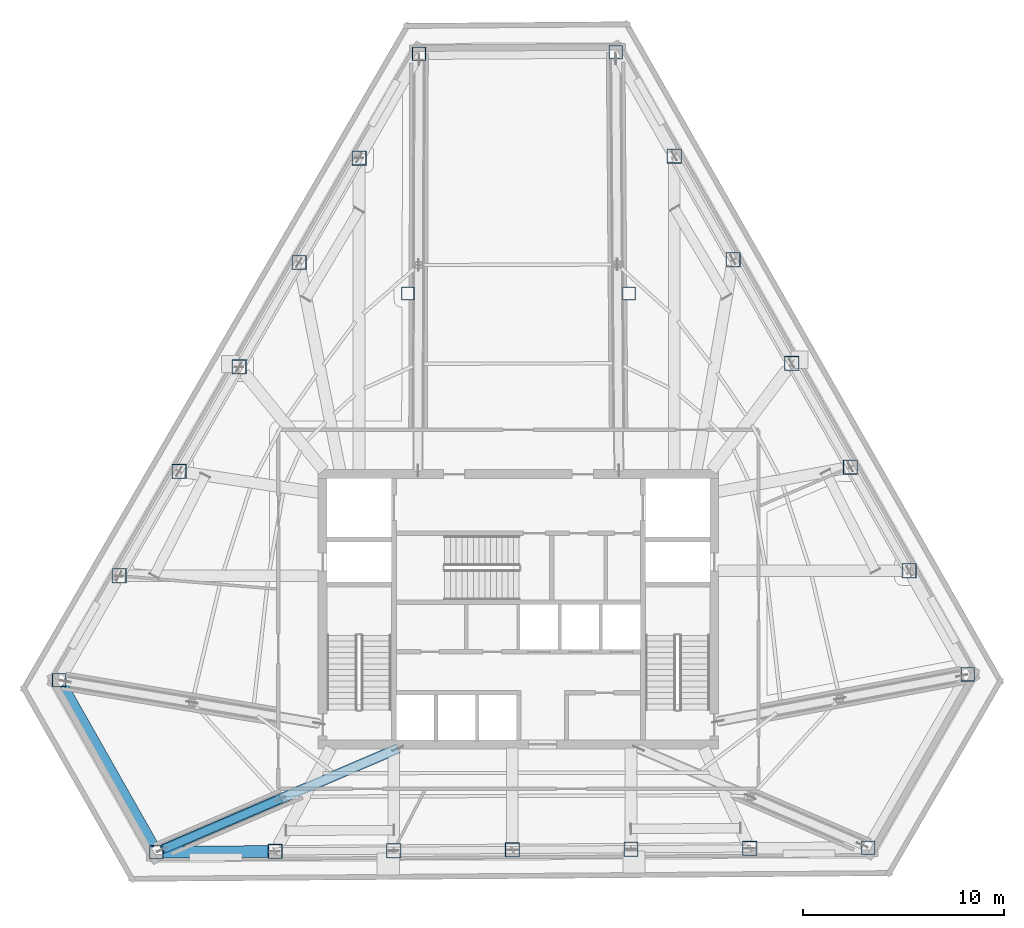
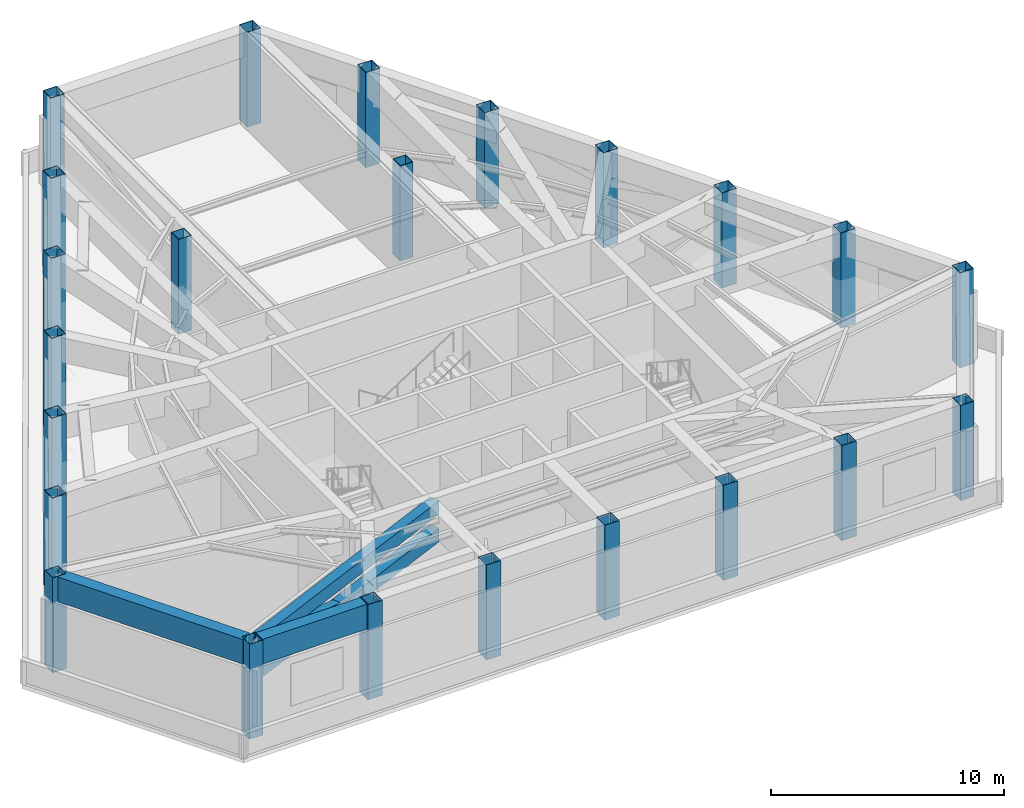
# One storey, part 1 of 13: 23 columns, 4 beams, 1 member.
"""IFC4 building model written with IfcOpenShell, lengths in metres."""

from ifc_helpers import new_model, si_unit, direction, frame, origin, origin_2d, place, context, subcontext, project, spatial, hollow_rectangle, extrude, material, material_profile, profile_set, type_object, element, save


model = new_model("IFC4")

# Units and contexts
model_context = context("Model", 3, precision=1e-05, world=origin(), true_north=direction((0.0, 1.0)))
body_context = subcontext(model_context, "Body", "Model", "MODEL_VIEW")
ifc_project = project(units=[si_unit("LENGTHUNIT", "METRE"), si_unit("AREAUNIT", "SQUARE_METRE"), si_unit("VOLUMEUNIT", "CUBIC_METRE"), si_unit("PLANEANGLEUNIT", "RADIAN"), si_unit("MASSUNIT", "GRAM", prefix="KILO")], contexts=[model_context])

# Site, building, storey
site_placement = place(None, origin())
site = spatial("IfcSite", under=ifc_project, at=site_placement, CompositionType="ELEMENT")
building_placement = place(site_placement, origin())
building = spatial("IfcBuilding", under=site, at=building_placement, Name="Kavelnor Concourse Tower", CompositionType="ELEMENT")
storey_placement = place(building_placement, frame((0.0, 0.0, 154.800048828125)))
storey = spatial("IfcBuildingStorey", under=building, at=storey_placement, Name="L39", CompositionType="ELEMENT", Elevation=154.800048828125)

# Columns
ifc_material = material(Name="Steel Grade 350", Category="steel")
ifc_material_profile_1 = material_profile(ifc_material, hollow_rectangle(XDim=0.679931640625, YDim=0.679931640625, WallThickness=0.030029296875, at=origin_2d()), Name="SHS 680x680x30")
ifc_profile_set_1 = profile_set([ifc_material_profile_1], Name="Steel Grade 350")
column_type_1 = type_object("IfcColumnType", Name="COL-FOLD-Z2", PredefinedType="COLUMN", material=ifc_profile_set_1)
for number, where, z_axis, x_axis, name in (
    (1, (33.0556640625, 43.7314453125, 0.0), (0.0, 0.0, 1.0), (1.0, 0.0, 0.0), "L39 Perimeter Corner-Fold Column F0-B0"),
    (2, (15.15576171875, 12.56787109375, 0.0), (0.0, 0.0, 1.0), (1.0, 0.0, 0.0), "L39 Perimeter Corner-Fold Column F0-B6"),
    (3, (19.994873046875, 4.021484375, 0.0), (0.0, 0.0, 1.0), (1.0, 0.0, 0.0), "L39 Perimeter Corner-Fold Column F1-B0"),
    (4, (55.400634765625, 4.239990234375, 0.0), (0.0, 0.0, 1.0), (1.0, 0.0, 0.0), "L39 Perimeter Corner-Fold Column F1-B6"),
    (5, (60.35009765625, 12.856689453125, 0.0), (0.0, 0.0, 1.0), (1.0, 0.0, 0.0), "L39 Perimeter Corner-Fold Column F2-B0"),
    (6, (42.833984375, 43.791748046875, 0.0), (0.0, 0.0, 1.0), (1.0, 0.0, 0.0), "L39 Perimeter Corner-Fold Column F2-B6"),
):
    element("IfcColumn", number, at=place(storey_placement, frame(where, z_axis=z_axis, x_axis=x_axis)), inside=storey, type_object=column_type_1, Name=name, PredefinedType="COLUMN", context=body_context, shape_type="SweptSolid", body=[
        extrude(hollow_rectangle(XDim=0.679931640625, YDim=0.679931640625, WallThickness=0.030029296875, at=origin_2d()), origin(), (0.0, 0.0, 1.0), 4.98486328125),
    ])
ifc_material_profile_2 = material_profile(ifc_material, hollow_rectangle(XDim=0.719970703125, YDim=0.719970703125, WallThickness=0.031982421875, at=origin_2d()), Name="SHS 720x720x32")
ifc_profile_set_2 = profile_set([ifc_material_profile_2], Name="Steel Grade 350")
column_type_2 = type_object("IfcColumnType", Name="COL-TUBE-Z2", PredefinedType="COLUMN", material=ifc_profile_set_2)
for number, where, z_axis, x_axis, name in (
    (7, (30.072509765625, 38.53759765625, 0.0), (0.0, 0.0, 1.0), (1.0, 0.0, 0.0), "L39 Perimeter Framed-Tube Column F0-B1"),
    (8, (27.089111328125, 33.343505859375, 0.0), (0.0, 0.0, 1.0), (1.0, 0.0, 0.0), "L39 Perimeter Framed-Tube Column F0-B2"),
    (9, (24.105712890625, 28.149658203125, 0.0), (0.0, 0.0, 1.0), (1.0, 0.0, 0.0), "L39 Perimeter Framed-Tube Column F0-B3"),
    (10, (21.122314453125, 22.955810546875, 0.0), (0.0, 0.0, 1.0), (1.0, 0.0, 0.0), "L39 Perimeter Framed-Tube Column F0-B4"),
    (11, (18.13916015625, 17.76171875, 0.0), (0.0, 0.0, 1.0), (1.0, 0.0, 0.0), "L39 Perimeter Framed-Tube Column F0-B5"),
    (12, (25.895751953125, 4.05810546875, 0.0), (0.0, 0.0, 1.0), (1.0, 0.0, 0.0), "L39 Perimeter Framed-Tube Column F1-B1"),
    (13, (31.796875, 4.094482421875, 0.0), (0.0, 0.0, 1.0), (1.0, 0.0, 0.0), "L39 Perimeter Framed-Tube Column F1-B2"),
    (14, (37.69775390625, 4.130615234375, 0.0), (0.0, 0.0, 1.0), (1.0, 0.0, 0.0), "L39 Perimeter Framed-Tube Column F1-B3"),
    (15, (43.5986328125, 4.1669921875, 0.0), (0.0, 0.0, 1.0), (1.0, 0.0, 0.0), "L39 Perimeter Framed-Tube Column F1-B4"),
    (16, (49.499755859375, 4.20361328125, 0.0), (0.0, 0.0, 1.0), (1.0, 0.0, 0.0), "L39 Perimeter Framed-Tube Column F1-B5"),
    (17, (57.4306640625, 18.012451171875, 0.0), (0.0, 0.0, 1.0), (1.0, 0.0, 0.0), "L39 Perimeter Framed-Tube Column F2-B1"),
    (18, (54.51123046875, 23.16845703125, 0.0), (0.0, 0.0, 1.0), (1.0, 0.0, 0.0), "L39 Perimeter Framed-Tube Column F2-B2"),
    (19, (51.592041015625, 28.32421875, 0.0), (0.0, 0.0, 1.0), (1.0, 0.0, 0.0), "L39 Perimeter Framed-Tube Column F2-B3"),
    (20, (48.672607421875, 33.47998046875, 0.0), (0.0, 0.0, 1.0), (1.0, 0.0, 0.0), "L39 Perimeter Framed-Tube Column F2-B4"),
    (21, (45.75341796875, 38.635986328125, 0.0), (0.0, 0.0, 1.0), (1.0, 0.0, 0.0), "L39 Perimeter Framed-Tube Column F2-B5"),
):
    element("IfcColumn", number, at=place(storey_placement, frame(where, z_axis=z_axis, x_axis=x_axis)), inside=storey, type_object=column_type_2, Name=name, PredefinedType="COLUMN", context=body_context, shape_type="SweptSolid", body=[
        extrude(hollow_rectangle(XDim=0.719970703125, YDim=0.719970703125, WallThickness=0.031982421875, at=origin_2d()), origin(), (0.0, 0.0, 1.0), 4.98486328125),
    ])
ifc_material_profile_3 = material_profile(ifc_material, hollow_rectangle(XDim=0.639892578125, YDim=0.639892578125, WallThickness=0.028076171875, at=origin_2d()), Name="SHS 640x640x28")
ifc_profile_set_3 = profile_set([ifc_material_profile_3], Name="Steel Grade 350")
column_type_3 = type_object("IfcColumnType", Name="COL-TUBE-Z3", PredefinedType="COLUMN", material=ifc_profile_set_3)
for number, where, z_axis, x_axis, name in (
    (22, (32.5, 31.800048828125, 0.0), (0.0, 0.0, 1.0), (1.0, 0.0, 0.0), "L39 North Interior Gravity Column BC-NW"),
    (23, (43.5, 31.800048828125, 0.0), (0.0, 0.0, 1.0), (1.0, 0.0, 0.0), "L39 North Interior Gravity Column BC-NE"),
):
    element("IfcColumn", number, at=place(storey_placement, frame(where, z_axis=z_axis, x_axis=x_axis)), inside=storey, type_object=column_type_3, Name=name, PredefinedType="COLUMN", context=body_context, shape_type="SweptSolid", body=[
        extrude(hollow_rectangle(XDim=0.639892578125, YDim=0.639892578125, WallThickness=0.028076171875, at=origin_2d()), origin(), (0.0, 0.0, 1.0), 4.98486328125),
    ])

# Beams
ifc_material_profile_4 = material_profile(ifc_material, hollow_rectangle(XDim=0.5, YDim=0.699951171875, WallThickness=0.031982421875, at=origin_2d()), Name="RHS 700x500x32")
ifc_profile_set_4 = profile_set([ifc_material_profile_4], Name="Steel Grade 350")
beam_type_1 = type_object("IfcBeamType", Name="BM-OUTRIG-CHORD-700", PredefinedType="BEAM", material=ifc_profile_set_4)
for number, where, z_axis, x_axis, name in (
    (24, (32.010986328125, 9.17578125, 3.179931640625), (-0.919021132099, -0.394208268248, 0.0), (0.394208268248, -0.919021132099, 0.0), "L39 Outrigger Truss Bottom Chord F1A"),
    (25, (32.010986328125, 9.17578125, 4.625), (-0.919021132099, -0.394208268248, 0.0), (0.394208268248, -0.919021132099, 0.0), "L39 Outrigger Truss Top Chord F1A"),
):
    element("IfcBeam", number, at=place(storey_placement, frame(where, z_axis=z_axis, x_axis=x_axis)), inside=storey, type_object=beam_type_1, Name=name, PredefinedType="BEAM", context=body_context, shape_type="SweptSolid", body=[
        extrude(hollow_rectangle(XDim=0.5, YDim=0.699951171875, WallThickness=0.031982421875, at=origin_2d()), origin(), (0.0, 0.0, 1.0), 12.744873046875),
    ])
ifc_material_profile_5 = material_profile(ifc_material, hollow_rectangle(XDim=0.580078125, YDim=1.300048828125, WallThickness=0.0400390625, at=origin_2d()), Name="RHS 1300x580x40")
ifc_profile_set_5 = profile_set([ifc_material_profile_5], Name="Steel Grade 350")
beam_type_2 = type_object("IfcBeamType", Name="BM-SETBACK-XFER-1350", PredefinedType="BEAM", material=ifc_profile_set_5)
beam_1_placement = place(storey_placement, frame((20.2998046875, 4.0234375, 4.3349609375), z_axis=(0.999980885226, 0.006182975204, 0.0), x_axis=(-0.006182975204, 0.999980885226, 0.0)))
element("IfcBeam", 26, at=beam_1_placement, inside=storey, type_object=beam_type_2, Name="L39 Perimeter Tube Spandrel Beam F1-B0", PredefinedType="BEAM", context=body_context, shape_type="SweptSolid", body=[
    extrude(hollow_rectangle(XDim=0.580078125, YDim=1.300048828125, WallThickness=0.0400390625, at=origin_2d()), origin(), (0.0, 0.0, 1.0), 5.291015625),
])
beam_2_placement = place(storey_placement, frame((15.30615234375, 12.302490234375, 4.3349609375), z_axis=(0.492706917015, -0.870195319411, 0.0), x_axis=(0.870195319411, 0.492706917015, 0.0)))
element("IfcBeam", 27, at=beam_2_placement, inside=storey, type_object=beam_type_2, Name="L39 Chamfer Facet Spandrel Beam C1", PredefinedType="BEAM", context=body_context, shape_type="SweptSolid", body=[
    extrude(hollow_rectangle(XDim=0.580078125, YDim=1.300048828125, WallThickness=0.0400390625, at=origin_2d()), origin(), (0.0, 0.0, 1.0), 9.2109375),
])

# Member
ifc_material_profile_6 = material_profile(ifc_material, hollow_rectangle(XDim=0.39990234375, YDim=0.39990234375, WallThickness=0.02490234375, at=origin_2d()), Name="SHS 400x400x25")
ifc_profile_set_6 = profile_set([ifc_material_profile_6], Name="Steel Grade 350")
member_type = type_object("IfcMemberType", Name="MBR-OUTRIG-DIAG-400", PredefinedType="BRACE", material=ifc_profile_set_6)
member_placement = place(storey_placement, frame((26.154541015625, 6.663818359375, 3.179931640625), z_axis=(-0.896259121377, -0.384463329955, 0.22115048105), x_axis=(0.394224447094, -0.919014192118, 0.0)))
element("IfcMember", 28, at=member_placement, inside=storey, type_object=member_type, Name="L39 Outrigger Truss Outer Diagonal F1A", PredefinedType="BRACE", context=body_context, shape_type="SweptSolid", body=[
    extrude(hollow_rectangle(XDim=0.39990234375, YDim=0.39990234375, WallThickness=0.02490234375, at=origin_2d()), origin(), (0.0, 0.0, 1.0), 6.534423828125),
])

save(model, "model.ifc")
